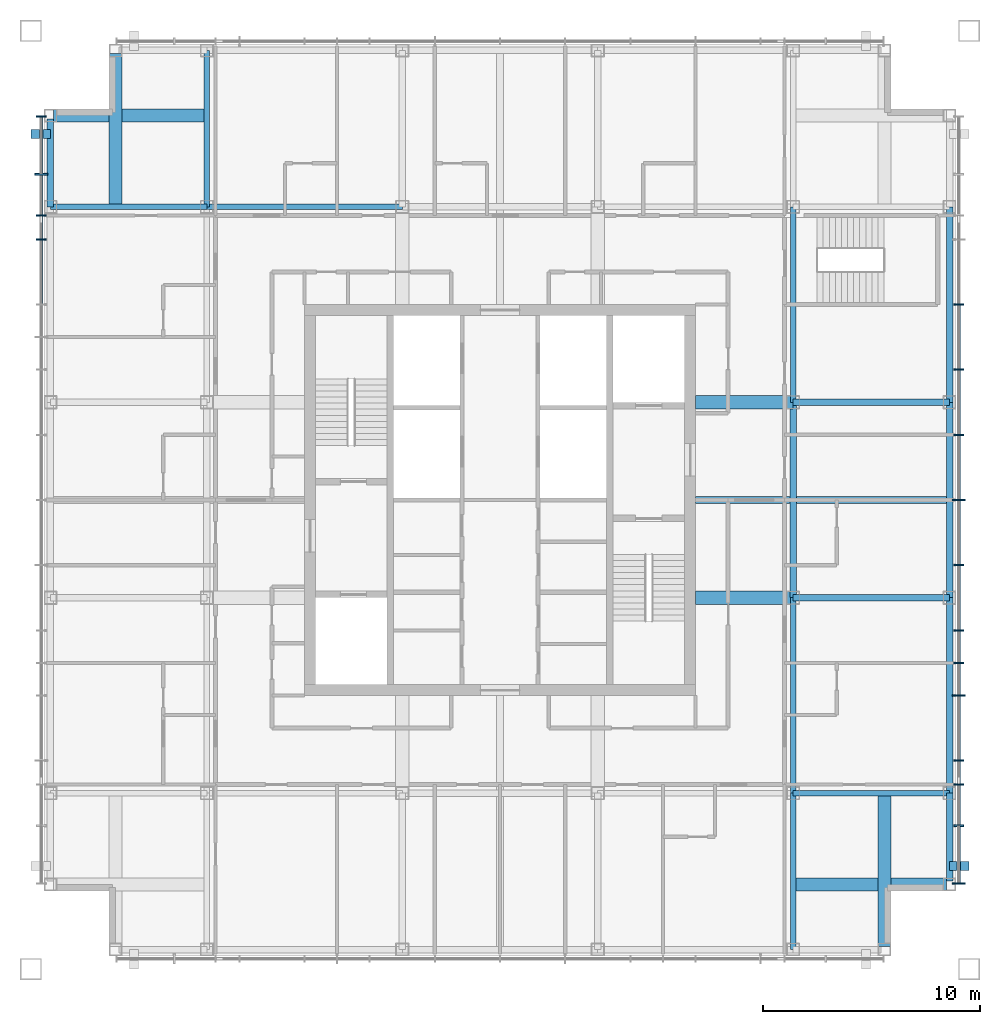
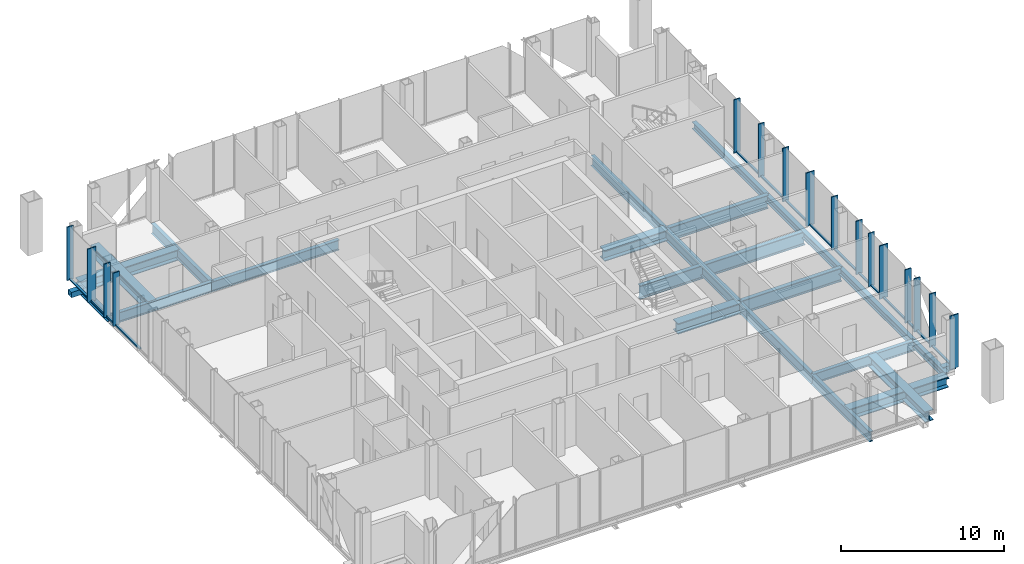
# One storey, part 4 of 16: 33 members, 22 beams, 2 elements without a shape of their own.
"""IFC4 building model written with IfcOpenShell, lengths in metres."""

from ifc_helpers import new_model, si_unit, direction, frame, origin, origin_2d, place, context, subcontext, project, spatial, rectangle, hollow_rectangle, i_section, extrude, material, layer, layer_set, material_profile, profile_set, type_object, element, aggregate, save


model = new_model("IFC4")

# Units and contexts
model_context = context("Model", 3, precision=1e-05, world=origin(), true_north=direction((0.0, 1.0)))
body_context = subcontext(model_context, "Body", "Model", "MODEL_VIEW")
ifc_project = project(units=[si_unit("LENGTHUNIT", "METRE"), si_unit("AREAUNIT", "SQUARE_METRE"), si_unit("VOLUMEUNIT", "CUBIC_METRE"), si_unit("PLANEANGLEUNIT", "RADIAN"), si_unit("MASSUNIT", "GRAM", prefix="KILO")], contexts=[model_context])

# Site, building, storey
site_placement = place(None, origin())
site = spatial("IfcSite", under=ifc_project, at=site_placement, CompositionType="ELEMENT")
building_placement = place(site_placement, origin())
building = spatial("IfcBuilding", under=site, at=building_placement, Name="Malebo Sky Hospital", CompositionType="ELEMENT")
storey_placement = place(building_placement, frame((0.0, 0.0, 254.0)))
storey = spatial("IfcBuildingStorey", under=building, at=storey_placement, Name="L61", CompositionType="ELEMENT", Elevation=254.0)

# Curtain wall, members
ifc_material_1 = material(Name="Anodised aluminium, natural silver", Category="aluminium")
ifc_layer = layer(ifc_material_1, 0.25)
ifc_layer_set = layer_set([ifc_layer], Name="WARD CURTAIN WALL EAST AND WEST")
curtain_wall_type = type_object("IfcCurtainWallType", Name="WARD CURTAIN WALL EAST AND WEST", PredefinedType="NOTDEFINED", material=ifc_layer_set)
curtain_wall_1_placement = place(storey_placement, origin())
curtain_wall_1 = element("IfcCurtainWall", 1, at=curtain_wall_1_placement, inside=storey, type_object=curtain_wall_type, Name="EW curtain wall W", PredefinedType="NOTDEFINED")
ifc_material_profile_1 = material_profile(ifc_material_1, rectangle(XDim=0.14990234375, YDim=0.10009765625, at=origin_2d()), Name="ALUMINIUM TRANSOM 150x100")
ifc_profile_set_1 = profile_set([ifc_material_profile_1], Name="Anodised aluminium, natural silver")
member_type_1 = type_object("IfcMemberType", Name="ALUMINIUM TRANSOM 150x100", PredefinedType="USERDEFINED", material=ifc_profile_set_1)
member_1_placement = place(storey_placement, frame((38.875, 71.03759765625, 0.050048828125), z_axis=(0.0, 1.0, 0.0), x_axis=(-1.0, 0.0, 0.0)))
member_1 = element("IfcMember", 2, at=member_1_placement, type_object=member_type_1, Name="Transom 13", ObjectType="TRANSOM", PredefinedType="USERDEFINED", context=body_context, shape_type="SweptSolid", body=[
    extrude(rectangle(XDim=0.14990234375, YDim=0.10009765625, at=origin_2d()), origin(), (0.0, 0.0, 1.0), 2.9248046875),
])
member_2_placement = place(storey_placement, frame((38.875, 74.03759765625, 0.050048828125), z_axis=(0.0, 1.0, 0.0), x_axis=(-1.0, 0.0, 0.0)))
member_2 = element("IfcMember", 3, at=member_2_placement, type_object=member_type_1, Name="Transom 14", ObjectType="TRANSOM", PredefinedType="USERDEFINED", context=body_context, shape_type="SweptSolid", body=[
    extrude(rectangle(XDim=0.14990234375, YDim=0.10009765625, at=origin_2d()), origin(), (0.0, 0.0, 1.0), 1.02490234375),
])
member_3_placement = place(storey_placement, frame((38.875, 75.137451171875, 0.050048828125), z_axis=(0.0, 1.0, 0.0), x_axis=(-1.0, 0.0, 0.0)))
member_3 = element("IfcMember", 4, at=member_3_placement, type_object=member_type_1, Name="Transom 15", ObjectType="TRANSOM", PredefinedType="USERDEFINED", context=body_context, shape_type="SweptSolid", body=[
    extrude(rectangle(XDim=0.14990234375, YDim=0.10009765625, at=origin_2d()), origin(), (0.0, 0.0, 1.0), 1.824951171875),
])
member_4_placement = place(storey_placement, frame((38.875, 77.03759765625, 0.050048828125), z_axis=(0.0, 1.0, 0.0), x_axis=(-1.0, 0.0, 0.0)))
member_4 = element("IfcMember", 5, at=member_4_placement, type_object=member_type_1, Name="Transom 16", ObjectType="TRANSOM", PredefinedType="USERDEFINED", context=body_context, shape_type="SweptSolid", body=[
    extrude(rectangle(XDim=0.14990234375, YDim=0.10009765625, at=origin_2d()), origin(), (0.0, 0.0, 1.0), 2.58740234375),
])

curtain_wall_2_placement = place(storey_placement, origin())
curtain_wall_2 = element("IfcCurtainWall", 6, at=curtain_wall_2_placement, inside=storey, type_object=curtain_wall_type, Name="EW curtain wall E", PredefinedType="NOTDEFINED")
member_5_placement = place(storey_placement, frame((81.125, 70.96240234375, 0.050048828125), z_axis=(0.0, -1.0, 0.0), x_axis=(1.0, 0.0, 0.0)))
member_5 = element("IfcMember", 7, at=member_5_placement, type_object=member_type_1, Name="Transom 5", ObjectType="TRANSOM", PredefinedType="USERDEFINED", context=body_context, shape_type="SweptSolid", body=[
    extrude(rectangle(XDim=0.14990234375, YDim=0.10009765625, at=origin_2d()), origin(), (0.0, 0.0, 1.0), 2.9248046875),
])
member_6_placement = place(storey_placement, frame((81.125, 67.96240234375, 0.050048828125), z_axis=(0.0, -1.0, 0.0), x_axis=(1.0, 0.0, 0.0)))
member_6 = element("IfcMember", 8, at=member_6_placement, type_object=member_type_1, Name="Transom 6", ObjectType="TRANSOM", PredefinedType="USERDEFINED", context=body_context, shape_type="SweptSolid", body=[
    extrude(rectangle(XDim=0.14990234375, YDim=0.10009765625, at=origin_2d()), origin(), (0.0, 0.0, 1.0), 2.9248046875),
])
member_7_placement = place(storey_placement, frame((81.125, 64.96240234375, 0.050048828125), z_axis=(0.0, -1.0, 0.0), x_axis=(1.0, 0.0, 0.0)))
member_7 = element("IfcMember", 9, at=member_7_placement, type_object=member_type_1, Name="Transom 7", ObjectType="TRANSOM", PredefinedType="USERDEFINED", context=body_context, shape_type="SweptSolid", body=[
    extrude(rectangle(XDim=0.14990234375, YDim=0.10009765625, at=origin_2d()), origin(), (0.0, 0.0, 1.0), 2.9248046875),
])
member_8_placement = place(storey_placement, frame((81.125, 61.96240234375, 0.050048828125), z_axis=(0.0, -1.0, 0.0), x_axis=(1.0, 0.0, 0.0)))
member_8 = element("IfcMember", 10, at=member_8_placement, type_object=member_type_1, Name="Transom 8", ObjectType="TRANSOM", PredefinedType="USERDEFINED", context=body_context, shape_type="SweptSolid", body=[
    extrude(rectangle(XDim=0.14990234375, YDim=0.10009765625, at=origin_2d()), origin(), (0.0, 0.0, 1.0), 2.9248046875),
])
member_9_placement = place(storey_placement, frame((81.125, 58.96240234375, 0.050048828125), z_axis=(0.0, -1.0, 0.0), x_axis=(1.0, 0.0, 0.0)))
member_9 = element("IfcMember", 11, at=member_9_placement, type_object=member_type_1, Name="Transom 9", ObjectType="TRANSOM", PredefinedType="USERDEFINED", context=body_context, shape_type="SweptSolid", body=[
    extrude(rectangle(XDim=0.14990234375, YDim=0.10009765625, at=origin_2d()), origin(), (0.0, 0.0, 1.0), 2.9248046875),
])
member_10_placement = place(storey_placement, frame((81.125, 55.96240234375, 0.050048828125), z_axis=(0.0, -1.0, 0.0), x_axis=(1.0, 0.0, 0.0)))
member_10 = element("IfcMember", 12, at=member_10_placement, type_object=member_type_1, Name="Transom 10", ObjectType="TRANSOM", PredefinedType="USERDEFINED", context=body_context, shape_type="SweptSolid", body=[
    extrude(rectangle(XDim=0.14990234375, YDim=0.10009765625, at=origin_2d()), origin(), (0.0, 0.0, 1.0), 1.4248046875),
])
member_11_placement = place(storey_placement, frame((81.125, 54.46240234375, 0.050048828125), z_axis=(0.0, -1.0, 0.0), x_axis=(1.0, 0.0, 0.0)))
member_11 = element("IfcMember", 13, at=member_11_placement, type_object=member_type_1, Name="Transom 11", ObjectType="TRANSOM", PredefinedType="USERDEFINED", context=body_context, shape_type="SweptSolid", body=[
    extrude(rectangle(XDim=0.14990234375, YDim=0.10009765625, at=origin_2d()), origin(), (0.0, 0.0, 1.0), 1.4248046875),
])
member_12_placement = place(storey_placement, frame((81.125, 52.96240234375, 0.050048828125), z_axis=(0.0, -1.0, 0.0), x_axis=(1.0, 0.0, 0.0)))
member_12 = element("IfcMember", 14, at=member_12_placement, type_object=member_type_1, Name="Transom 12", ObjectType="TRANSOM", PredefinedType="USERDEFINED", context=body_context, shape_type="SweptSolid", body=[
    extrude(rectangle(XDim=0.14990234375, YDim=0.10009765625, at=origin_2d()), origin(), (0.0, 0.0, 1.0), 2.9248046875),
])
member_13_placement = place(storey_placement, frame((81.125, 49.96240234375, 0.050048828125), z_axis=(0.0, -1.0, 0.0), x_axis=(1.0, 0.0, 0.0)))
member_13 = element("IfcMember", 15, at=member_13_placement, type_object=member_type_1, Name="Transom 13", ObjectType="TRANSOM", PredefinedType="USERDEFINED", context=body_context, shape_type="SweptSolid", body=[
    extrude(rectangle(XDim=0.14990234375, YDim=0.10009765625, at=origin_2d()), origin(), (0.0, 0.0, 1.0), 1.02490234375),
])
member_14_placement = place(storey_placement, frame((81.125, 48.862548828125, 0.050048828125), z_axis=(0.0, -1.0, 0.0), x_axis=(1.0, 0.0, 0.0)))
member_14 = element("IfcMember", 16, at=member_14_placement, type_object=member_type_1, Name="Transom 14", ObjectType="TRANSOM", PredefinedType="USERDEFINED", context=body_context, shape_type="SweptSolid", body=[
    extrude(rectangle(XDim=0.14990234375, YDim=0.10009765625, at=origin_2d()), origin(), (0.0, 0.0, 1.0), 1.824951171875),
])
member_15_placement = place(storey_placement, frame((81.125, 46.96240234375, 0.050048828125), z_axis=(0.0, -1.0, 0.0), x_axis=(1.0, 0.0, 0.0)))
member_15 = element("IfcMember", 17, at=member_15_placement, type_object=member_type_1, Name="Transom 15", ObjectType="TRANSOM", PredefinedType="USERDEFINED", context=body_context, shape_type="SweptSolid", body=[
    extrude(rectangle(XDim=0.14990234375, YDim=0.10009765625, at=origin_2d()), origin(), (0.0, 0.0, 1.0), 2.58740234375),
])

# Members
ifc_material_2 = material(Name="Steel S355", Category="steel")
ifc_material_profile_2 = material_profile(ifc_material_2, hollow_rectangle(XDim=0.39990234375, YDim=0.39990234375, WallThickness=0.02001953125, at=origin_2d()), Name="SHS 400x20")
ifc_profile_set_2 = profile_set([ifc_material_profile_2], Name="Steel S355")
member_type_2 = type_object("IfcMemberType", Name="BRACE STRUT SHS 400x20", PredefinedType="STRUT", material=ifc_profile_set_2)
for number, where, z_axis, x_axis, name in (
    (18, (81.60009765625, 45.152587890625, -0.39990234375), (-1.0, 0.0, 0.0), (0.0, -1.0, 0.0), "Brace strut DE1 L61"),
    (19, (38.39990234375, 78.847412109375, -0.39990234375), (1.0, 0.0, 0.0), (0.0, 1.0, 0.0), "Brace strut DW1 L61"),
):
    element("IfcMember", number, at=place(storey_placement, frame(where, z_axis=z_axis, x_axis=x_axis)), inside=storey, type_object=member_type_2, Name=name, PredefinedType="STRUT", context=body_context, shape_type="SweptSolid", body=[
        extrude(hollow_rectangle(XDim=0.39990234375, YDim=0.39990234375, WallThickness=0.02001953125, at=origin_2d()), origin(), (0.0, 0.0, 1.0), 0.900146484375),
    ])

# Member
ifc_material_profile_3 = material_profile(ifc_material_1, rectangle(XDim=0.074951171875, YDim=0.449951171875, at=origin_2d()), Name="CW2 ALUMINIUM FIN MULLION 75x450")
ifc_profile_set_3 = profile_set([ifc_material_profile_3], Name="Anodised aluminium, natural silver")
member_type_3 = type_object("IfcMemberType", Name="CW2 ALUMINIUM FIN MULLION 75x450", PredefinedType="MULLION", material=ifc_profile_set_3)
member_16_placement = place(storey_placement, frame((38.875, 74.0, 0.0), z_axis=(0.0, 0.0, 1.0), x_axis=(0.0, 1.0, 0.0)))
member_16 = element("IfcMember", 20, at=member_16_placement, type_object=member_type_3, Name="Fin mullion 14", PredefinedType="MULLION", context=body_context, shape_type="SweptSolid", body=[
    extrude(rectangle(XDim=0.074951171875, YDim=0.449951171875, at=origin_2d()), origin(), (0.0, 0.0, 1.0), 4.0),
])

member_17_placement = place(storey_placement, frame((38.875, 75.10009765625, 0.0), z_axis=(0.0, 0.0, 1.0), x_axis=(0.0, 1.0, 0.0)))
member_17 = element("IfcMember", 21, at=member_17_placement, type_object=member_type_3, Name="Fin mullion 15", PredefinedType="MULLION", context=body_context, shape_type="SweptSolid", body=[
    extrude(rectangle(XDim=0.074951171875, YDim=0.449951171875, at=origin_2d()), origin(), (0.0, 0.0, 1.0), 4.0),
])

member_18_placement = place(storey_placement, frame((38.875, 79.66259765625, 0.0), z_axis=(0.0, 0.0, 1.0), x_axis=(0.0, 1.0, 0.0)))
member_18 = element("IfcMember", 22, at=member_18_placement, type_object=member_type_3, Name="Fin mullion 17", PredefinedType="MULLION", context=body_context, shape_type="SweptSolid", body=[
    extrude(rectangle(XDim=0.074951171875, YDim=0.449951171875, at=origin_2d()), origin(), (0.0, 0.0, 1.0), 4.0),
])

member_19_placement = place(storey_placement, frame((81.125, 71.0, 0.0), z_axis=(0.0, 0.0, 1.0), x_axis=(0.0, -1.0, 0.0)))
member_19 = element("IfcMember", 23, at=member_19_placement, type_object=member_type_3, Name="Fin mullion 5", PredefinedType="MULLION", context=body_context, shape_type="SweptSolid", body=[
    extrude(rectangle(XDim=0.074951171875, YDim=0.449951171875, at=origin_2d()), origin(), (0.0, 0.0, 1.0), 4.0),
])

member_20_placement = place(storey_placement, frame((81.125, 68.0, 0.0), z_axis=(0.0, 0.0, 1.0), x_axis=(0.0, -1.0, 0.0)))
member_20 = element("IfcMember", 24, at=member_20_placement, type_object=member_type_3, Name="Fin mullion 6", PredefinedType="MULLION", context=body_context, shape_type="SweptSolid", body=[
    extrude(rectangle(XDim=0.074951171875, YDim=0.449951171875, at=origin_2d()), origin(), (0.0, 0.0, 1.0), 4.0),
])

member_21_placement = place(storey_placement, frame((81.125, 65.0, 0.0), z_axis=(0.0, 0.0, 1.0), x_axis=(0.0, -1.0, 0.0)))
member_21 = element("IfcMember", 25, at=member_21_placement, type_object=member_type_3, Name="Fin mullion 7", PredefinedType="MULLION", context=body_context, shape_type="SweptSolid", body=[
    extrude(rectangle(XDim=0.074951171875, YDim=0.449951171875, at=origin_2d()), origin(), (0.0, 0.0, 1.0), 4.0),
])

member_22_placement = place(storey_placement, frame((81.125, 59.0, 0.0), z_axis=(0.0, 0.0, 1.0), x_axis=(0.0, -1.0, 0.0)))
member_22 = element("IfcMember", 26, at=member_22_placement, type_object=member_type_3, Name="Fin mullion 9", PredefinedType="MULLION", context=body_context, shape_type="SweptSolid", body=[
    extrude(rectangle(XDim=0.074951171875, YDim=0.449951171875, at=origin_2d()), origin(), (0.0, 0.0, 1.0), 4.0),
])

member_23_placement = place(storey_placement, frame((81.125, 56.0, 0.0), z_axis=(0.0, 0.0, 1.0), x_axis=(0.0, -1.0, 0.0)))
member_23 = element("IfcMember", 27, at=member_23_placement, type_object=member_type_3, Name="Fin mullion 10", PredefinedType="MULLION", context=body_context, shape_type="SweptSolid", body=[
    extrude(rectangle(XDim=0.074951171875, YDim=0.449951171875, at=origin_2d()), origin(), (0.0, 0.0, 1.0), 4.0),
])

member_24_placement = place(storey_placement, frame((81.125, 54.5, 0.0), z_axis=(0.0, 0.0, 1.0), x_axis=(0.0, -1.0, 0.0)))
member_24 = element("IfcMember", 28, at=member_24_placement, type_object=member_type_3, Name="Fin mullion 11", PredefinedType="MULLION", context=body_context, shape_type="SweptSolid", body=[
    extrude(rectangle(XDim=0.074951171875, YDim=0.449951171875, at=origin_2d()), origin(), (0.0, 0.0, 1.0), 4.0),
])

member_25_placement = place(storey_placement, frame((81.125, 50.0, 0.0), z_axis=(0.0, 0.0, 1.0), x_axis=(0.0, -1.0, 0.0)))
member_25 = element("IfcMember", 29, at=member_25_placement, type_object=member_type_3, Name="Fin mullion 13", PredefinedType="MULLION", context=body_context, shape_type="SweptSolid", body=[
    extrude(rectangle(XDim=0.074951171875, YDim=0.449951171875, at=origin_2d()), origin(), (0.0, 0.0, 1.0), 4.0),
])

member_26_placement = place(storey_placement, frame((81.125, 48.89990234375, 0.0), z_axis=(0.0, 0.0, 1.0), x_axis=(0.0, -1.0, 0.0)))
member_26 = element("IfcMember", 30, at=member_26_placement, type_object=member_type_3, Name="Fin mullion 14", PredefinedType="MULLION", context=body_context, shape_type="SweptSolid", body=[
    extrude(rectangle(XDim=0.074951171875, YDim=0.449951171875, at=origin_2d()), origin(), (0.0, 0.0, 1.0), 4.0),
])

member_27_placement = place(storey_placement, frame((81.125, 47.0, 0.0), z_axis=(0.0, 0.0, 1.0), x_axis=(0.0, -1.0, 0.0)))
member_27 = element("IfcMember", 31, at=member_27_placement, type_object=member_type_3, Name="Fin mullion 15", PredefinedType="MULLION", context=body_context, shape_type="SweptSolid", body=[
    extrude(rectangle(XDim=0.074951171875, YDim=0.449951171875, at=origin_2d()), origin(), (0.0, 0.0, 1.0), 4.0),
])

ifc_material_profile_4 = material_profile(ifc_material_1, rectangle(XDim=0.074951171875, YDim=0.60009765625, at=origin_2d()), Name="CW2 ALUMINIUM FIN MULLION 75x600")
ifc_profile_set_4 = profile_set([ifc_material_profile_4], Name="Anodised aluminium, natural silver")
member_type_4 = type_object("IfcMemberType", Name="CW2 ALUMINIUM FIN MULLION 75x600", PredefinedType="MULLION", material=ifc_profile_set_4)
member_28_placement = place(storey_placement, frame((38.875, 77.0, 0.0), z_axis=(0.0, 0.0, 1.0), x_axis=(0.0, 1.0, 0.0)))
member_28 = element("IfcMember", 32, at=member_28_placement, type_object=member_type_4, Name="Fin mullion 16", PredefinedType="MULLION", context=body_context, shape_type="SweptSolid", body=[
    extrude(rectangle(XDim=0.074951171875, YDim=0.60009765625, at=origin_2d()), origin(), (0.0, 0.0, 1.0), 4.0),
])

aggregate(curtain_wall_1, [member_16, member_17, member_28, member_18, member_1, member_2, member_3, member_4])

member_29_placement = place(storey_placement, frame((81.125, 62.0, 0.0), z_axis=(0.0, 0.0, 1.0), x_axis=(0.0, -1.0, 0.0)))
member_29 = element("IfcMember", 33, at=member_29_placement, type_object=member_type_4, Name="Fin mullion 8", PredefinedType="MULLION", context=body_context, shape_type="SweptSolid", body=[
    extrude(rectangle(XDim=0.074951171875, YDim=0.60009765625, at=origin_2d()), origin(), (0.0, 0.0, 1.0), 4.0),
])

member_30_placement = place(storey_placement, frame((81.125, 53.0, 0.0), z_axis=(0.0, 0.0, 1.0), x_axis=(0.0, -1.0, 0.0)))
member_30 = element("IfcMember", 34, at=member_30_placement, type_object=member_type_4, Name="Fin mullion 12", PredefinedType="MULLION", context=body_context, shape_type="SweptSolid", body=[
    extrude(rectangle(XDim=0.074951171875, YDim=0.60009765625, at=origin_2d()), origin(), (0.0, 0.0, 1.0), 4.0),
])

member_31_placement = place(storey_placement, frame((81.125, 44.33740234375, 0.0), z_axis=(0.0, 0.0, 1.0), x_axis=(0.0, -1.0, 0.0)))
member_31 = element("IfcMember", 35, at=member_31_placement, type_object=member_type_4, Name="Fin mullion 16", PredefinedType="MULLION", context=body_context, shape_type="SweptSolid", body=[
    extrude(rectangle(XDim=0.074951171875, YDim=0.60009765625, at=origin_2d()), origin(), (0.0, 0.0, 1.0), 4.0),
])

aggregate(curtain_wall_2, [member_19, member_20, member_21, member_29, member_22, member_23, member_24, member_30, member_25, member_26, member_27, member_31, member_5, member_6, member_7, member_8, member_9, member_10, member_11, member_12, member_13, member_14, member_15])

# Beams
ifc_material_profile_5 = material_profile(ifc_material_2, i_section(OverallWidth=0.305908203125, OverallDepth=0.52392578125, WebThickness=0.02099609375, FlangeThickness=0.0400390625, FilletRadius=0.027099609375, at=origin_2d()), Name="HEM 500")
ifc_profile_set_5 = profile_set([ifc_material_profile_5], Name="Steel S355")
beam_type_1 = type_object("IfcBeamType", Name="EDGE BEAM HEM 500", PredefinedType="BEAM", material=ifc_profile_set_5)
for number, where, z_axis, x_axis, name in (
    (36, (39.300048828125, 75.5, -0.511962890625), (0.0, 1.0, 0.0), (-1.0, 0.0, 0.0), "Beam 004 L61"),
    (37, (80.699951171875, 44.449951171875, -0.511962890625), (0.0, 1.0, 0.0), (-1.0, 0.0, 0.0), "Beam 029 L61"),
):
    element("IfcBeam", number, at=place(storey_placement, frame(where, z_axis=z_axis, x_axis=x_axis)), inside=storey, type_object=beam_type_1, Name=name, PredefinedType="BEAM", context=body_context, shape_type="SweptSolid", body=[
        extrude(i_section(OverallWidth=0.305908203125, OverallDepth=0.52392578125, WebThickness=0.02099609375, FlangeThickness=0.0400390625, FilletRadius=0.027099609375, at=origin_2d()), origin(), (0.0, 0.0, 1.0), 4.050048828125),
    ])
for number, where, z_axis, x_axis, name in (
    (38, (80.699951171875, 48.5, -0.511962890625), (0.0, 1.0, 0.0), (-1.0, 0.0, 0.0), "Beam 030 L61"),
    (39, (80.699951171875, 57.5, -0.511962890625), (0.0, 1.0, 0.0), (-1.0, 0.0, 0.0), "Beam 031 L61"),
    (40, (80.699951171875, 66.5, -0.511962890625), (0.0, 1.0, 0.0), (-1.0, 0.0, 0.0), "Beam 032 L61"),
):
    element("IfcBeam", number, at=place(storey_placement, frame(where, z_axis=z_axis, x_axis=x_axis)), inside=storey, type_object=beam_type_1, Name=name, PredefinedType="BEAM", context=body_context, shape_type="SweptSolid", body=[
        extrude(i_section(OverallWidth=0.305908203125, OverallDepth=0.52392578125, WebThickness=0.02099609375, FlangeThickness=0.0400390625, FilletRadius=0.027099609375, at=origin_2d()), origin(), (0.0, 0.0, 1.0), 9.0),
    ])
ifc_material_profile_6 = material_profile(ifc_material_2, i_section(OverallWidth=0.300048828125, OverallDepth=1.0, WebThickness=0.01904296875, FlangeThickness=0.035888671875, FilletRadius=0.030029296875, at=origin_2d()), Name="HEB 1000")
ifc_profile_set_6 = profile_set([ifc_material_profile_6], Name="Steel S355")
beam_type_2 = type_object("IfcBeamType", Name="FLOOR BEAM HEB 1000", PredefinedType="BEAM", material=ifc_profile_set_6)
beam_1_placement = place(storey_placement, frame((73.5, 57.5, -0.75), z_axis=(1.0, 0.0, 0.0), x_axis=(0.0, 1.0, 0.0)))
element("IfcBeam", 41, at=beam_1_placement, inside=storey, type_object=beam_type_2, Name="Beam 049 L61", PredefinedType="BEAM", context=body_context, shape_type="SweptSolid", body=[
    extrude(i_section(OverallWidth=0.300048828125, OverallDepth=1.0, WebThickness=0.01904296875, FlangeThickness=0.035888671875, FilletRadius=0.030029296875, at=origin_2d()), origin(), (0.0, 0.0, 1.0), 7.199951171875),
])
beam_2_placement = place(storey_placement, frame((69.0, 62.0, -0.75), z_axis=(1.0, 0.0, 0.0), x_axis=(0.0, 1.0, 0.0)))
element("IfcBeam", 42, at=beam_2_placement, inside=storey, type_object=beam_type_2, Name="Beam 051 L61", PredefinedType="BEAM", context=body_context, shape_type="SweptSolid", body=[
    extrude(i_section(OverallWidth=0.300048828125, OverallDepth=1.0, WebThickness=0.01904296875, FlangeThickness=0.035888671875, FilletRadius=0.030029296875, at=origin_2d()), origin(), (0.0, 0.0, 1.0), 11.699951171875),
])
beam_3_placement = place(storey_placement, frame((73.5, 66.5, -0.75), z_axis=(1.0, 0.0, 0.0), x_axis=(0.0, 1.0, 0.0)))
element("IfcBeam", 43, at=beam_3_placement, inside=storey, type_object=beam_type_2, Name="Beam 055 L61", PredefinedType="BEAM", context=body_context, shape_type="SweptSolid", body=[
    extrude(i_section(OverallWidth=0.300048828125, OverallDepth=1.0, WebThickness=0.01904296875, FlangeThickness=0.035888671875, FilletRadius=0.030029296875, at=origin_2d()), origin(), (0.0, 0.0, 1.0), 7.199951171875),
])
ifc_material_profile_7 = material_profile(ifc_material_2, i_section(OverallWidth=0.26708984375, OverallDepth=0.761962890625, WebThickness=0.014404296875, FlangeThickness=0.021484375, FilletRadius=0.01708984375, at=origin_2d()), Name="IPE 750x173")
ifc_profile_set_7 = profile_set([ifc_material_profile_7], Name="Steel S355")
beam_type_3 = type_object("IfcBeamType", Name="FLOOR BEAM IPE 750x173", PredefinedType="BEAM", material=ifc_profile_set_7)
for number, where, z_axis, x_axis, name in (
    (44, (73.5, 48.5, -0.631103515625), (0.0, 1.0, 0.0), (-1.0, 0.0, 0.0), "Beam 023 L61"),
    (45, (73.5, 66.5, -0.631103515625), (0.0, 1.0, 0.0), (-1.0, 0.0, 0.0), "Beam 025 L61"),
    (46, (46.5, 75.5, -0.631103515625), (1.0, 0.0, 0.0), (0.0, 1.0, 0.0), "Beam 057 L61"),
):
    element("IfcBeam", number, at=place(storey_placement, frame(where, z_axis=z_axis, x_axis=x_axis)), inside=storey, type_object=beam_type_3, Name=name, PredefinedType="BEAM", context=body_context, shape_type="SweptSolid", body=[
        extrude(i_section(OverallWidth=0.26708984375, OverallDepth=0.761962890625, WebThickness=0.014404296875, FlangeThickness=0.021484375, FilletRadius=0.01708984375, at=origin_2d()), origin(), (0.0, 0.0, 1.0), 9.0),
    ])
ifc_material_profile_8 = material_profile(ifc_material_2, i_section(OverallWidth=0.60009765625, OverallDepth=0.800048828125, WebThickness=0.0400390625, FlangeThickness=0.06005859375, at=origin_2d()), Name="PG 800x600x40x60")
ifc_profile_set_8 = profile_set([ifc_material_profile_8], Name="Steel S355")
beam_type_4 = type_object("IfcBeamType", Name="FLOOR BEAM PG 800x600x40x60", PredefinedType="BEAM", material=ifc_profile_set_8)
for number, where, z_axis, x_axis, name in (
    (47, (42.300048828125, 75.5, -0.64990234375), (0.0, 1.0, 0.0), (-1.0, 0.0, 0.0), "Beam 006 L61"),
    (48, (77.699951171875, 41.449951171875, -0.64990234375), (0.0, 1.0, 0.0), (-1.0, 0.0, 0.0), "Beam 027 L61"),
    (49, (73.5, 44.300048828125, -0.64990234375), (1.0, 0.0, 0.0), (0.0, 1.0, 0.0), "Beam 040 L61"),
):
    element("IfcBeam", number, at=place(storey_placement, frame(where, z_axis=z_axis, x_axis=x_axis)), inside=storey, type_object=beam_type_4, Name=name, PredefinedType="BEAM", context=body_context, shape_type="SweptSolid", body=[
        extrude(i_section(OverallWidth=0.60009765625, OverallDepth=0.800048828125, WebThickness=0.0400390625, FlangeThickness=0.06005859375, at=origin_2d()), origin(), (0.0, 0.0, 1.0), 7.050048828125),
    ])
for number, where, z_axis, x_axis, name in (
    (50, (69.0, 57.5, -0.64990234375), (1.0, 0.0, 0.0), (0.0, 1.0, 0.0), "Beam 048 L61"),
    (51, (69.0, 66.5, -0.64990234375), (1.0, 0.0, 0.0), (0.0, 1.0, 0.0), "Beam 054 L61"),
):
    element("IfcBeam", number, at=place(storey_placement, frame(where, z_axis=z_axis, x_axis=x_axis)), inside=storey, type_object=beam_type_4, Name=name, PredefinedType="BEAM", context=body_context, shape_type="SweptSolid", body=[
        extrude(i_section(OverallWidth=0.60009765625, OverallDepth=0.800048828125, WebThickness=0.0400390625, FlangeThickness=0.06005859375, at=origin_2d()), origin(), (0.0, 0.0, 1.0), 4.5),
    ])
beam_4_placement = place(storey_placement, frame((39.449951171875, 79.699951171875, -0.64990234375), z_axis=(1.0, 0.0, 0.0), x_axis=(0.0, 1.0, 0.0)))
element("IfcBeam", 52, at=beam_4_placement, inside=storey, type_object=beam_type_4, Name="Beam 061 L61", PredefinedType="BEAM", context=body_context, shape_type="SweptSolid", body=[
    extrude(i_section(OverallWidth=0.60009765625, OverallDepth=0.800048828125, WebThickness=0.0400390625, FlangeThickness=0.06005859375, at=origin_2d()), origin(), (0.0, 0.0, 1.0), 7.050048828125),
])
ifc_material_profile_9 = material_profile(ifc_material_2, i_section(OverallWidth=0.262939453125, OverallDepth=0.7529296875, WebThickness=0.011474609375, FlangeThickness=0.01708984375, FilletRadius=0.01708984375, at=origin_2d()), Name="IPE 750x137")
ifc_profile_set_9 = profile_set([ifc_material_profile_9], Name="Steel S355")
beam_type_5 = type_object("IfcBeamType", Name="FLOOR GIRDER IPE 750x137", PredefinedType="BEAM", material=ifc_profile_set_9)
for number, where, z_axis, x_axis, name in (
    (53, (46.5, 75.5, -0.62646484375), (0.0, 1.0, 0.0), (-1.0, 0.0, 0.0), "Beam 011 L61"),
    (54, (73.5, 41.300048828125, -0.62646484375), (0.0, 1.0, 0.0), (-1.0, 0.0, 0.0), "Beam 022 L61"),
    (55, (73.5, 48.5, -0.62646484375), (1.0, 0.0, 0.0), (0.0, 1.0, 0.0), "Beam 045 L61"),
    (56, (39.300048828125, 75.5, -0.62646484375), (1.0, 0.0, 0.0), (0.0, 1.0, 0.0), "Beam 056 L61"),
):
    element("IfcBeam", number, at=place(storey_placement, frame(where, z_axis=z_axis, x_axis=x_axis)), inside=storey, type_object=beam_type_5, Name=name, PredefinedType="BEAM", context=body_context, shape_type="SweptSolid", body=[
        extrude(i_section(OverallWidth=0.262939453125, OverallDepth=0.7529296875, WebThickness=0.011474609375, FlangeThickness=0.01708984375, FilletRadius=0.01708984375, at=origin_2d()), origin(), (0.0, 0.0, 1.0), 7.199951171875),
    ])
ifc_material_profile_10 = material_profile(ifc_material_2, i_section(OverallWidth=0.300048828125, OverallDepth=0.800048828125, WebThickness=0.017578125, FlangeThickness=0.032958984375, FilletRadius=0.030029296875, at=origin_2d()), Name="HEB 800")
ifc_profile_set_10 = profile_set([ifc_material_profile_10], Name="Steel S355")
beam_type_6 = type_object("IfcBeamType", Name="RING GIRDER HEB 800", PredefinedType="BEAM", material=ifc_profile_set_10)
beam_5_placement = place(storey_placement, frame((73.5, 57.5, -0.64990234375), z_axis=(0.0, 1.0, 0.0), x_axis=(-1.0, 0.0, 0.0)))
element("IfcBeam", 57, at=beam_5_placement, inside=storey, type_object=beam_type_6, Name="Beam 024 L61", PredefinedType="BEAM", context=body_context, shape_type="SweptSolid", body=[
    extrude(i_section(OverallWidth=0.300048828125, OverallDepth=0.800048828125, WebThickness=0.017578125, FlangeThickness=0.032958984375, FilletRadius=0.030029296875, at=origin_2d()), origin(), (0.0, 0.0, 1.0), 9.0),
])

save(model, "model.ifc")
